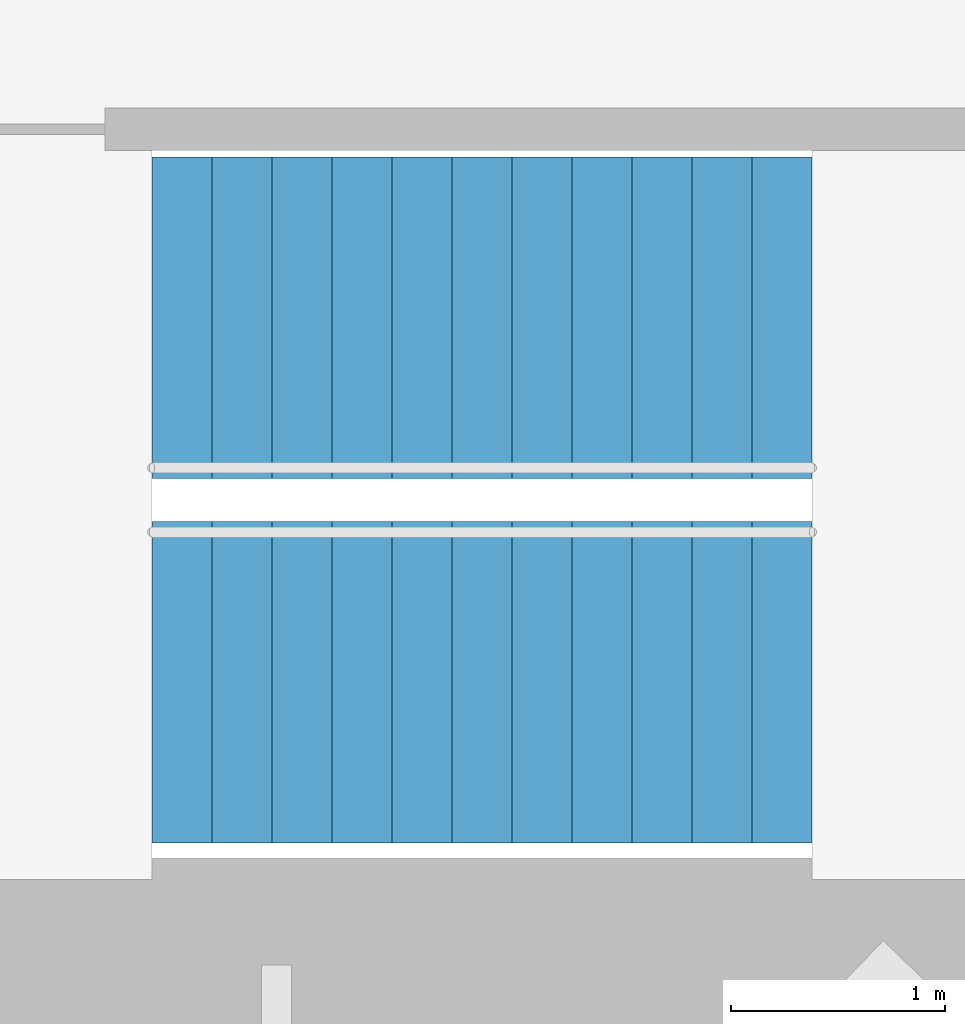
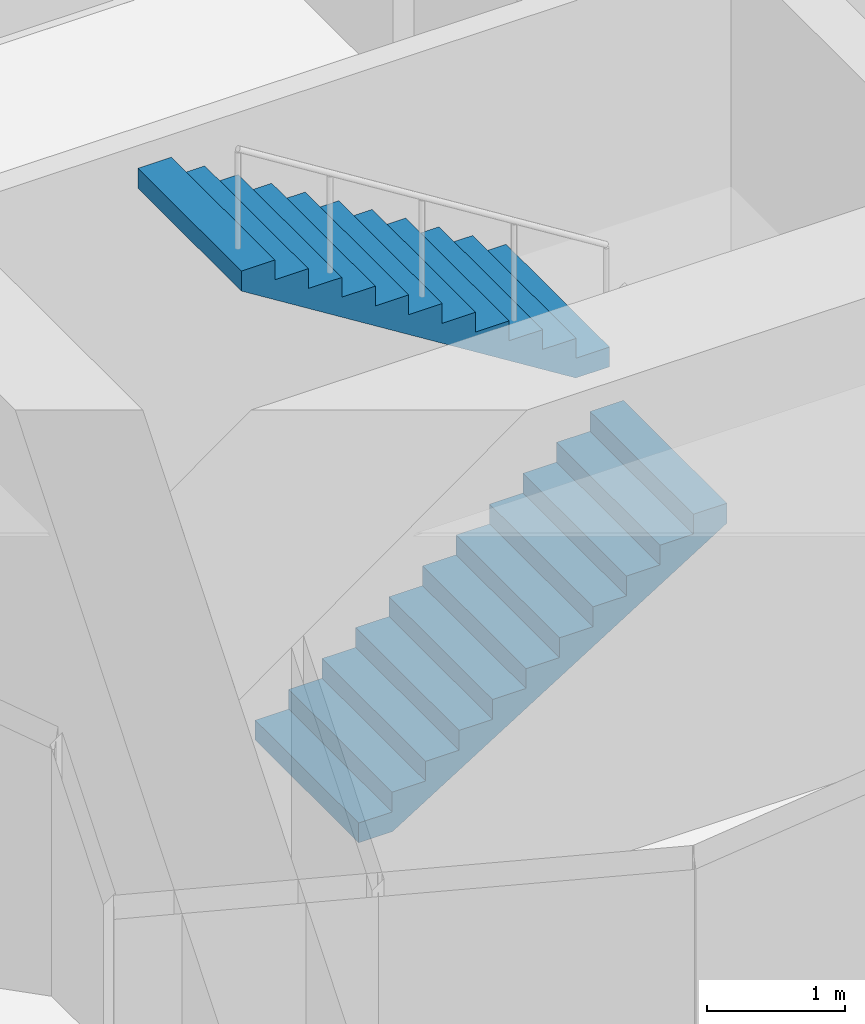
# One storey, part 16 of 18: 2 stair flights, 1 element without a shape of its own.
"""IFC4 building model written with IfcOpenShell, lengths in metres."""

from ifc_helpers import new_model, si_unit, direction, frame, origin, place, context, subcontext, project, spatial, triangles, material, type_object, element, aggregate, save


model = new_model("IFC4")

# Units and contexts
model_context = context("Model", 3, precision=1e-05, world=origin(), true_north=direction((0.0, 1.0)))
body_context = subcontext(model_context, "Body", "Model", "MODEL_VIEW")
ifc_project = project(units=[si_unit("LENGTHUNIT", "METRE"), si_unit("AREAUNIT", "SQUARE_METRE"), si_unit("VOLUMEUNIT", "CUBIC_METRE"), si_unit("PLANEANGLEUNIT", "RADIAN"), si_unit("MASSUNIT", "GRAM", prefix="KILO")], contexts=[model_context])

# Site, building, storey
site_placement = place(None, origin())
site = spatial("IfcSite", under=ifc_project, at=site_placement, CompositionType="ELEMENT")
building_placement = place(site_placement, origin())
building = spatial("IfcBuilding", under=site, at=building_placement, Name="Lantaw Convention Tower", CompositionType="ELEMENT")
storey_placement = place(building_placement, frame((0.0, 0.0, 266.199951171875)))
storey = spatial("IfcBuildingStorey", under=building, at=storey_placement, Name="L62", CompositionType="ELEMENT", Elevation=266.199951171875)

# Stair, stair flights
ifc_material = material(Name="Concrete C35/45", Category="concrete")
stair_type = type_object("IfcStairType", Name="Exit stair 1500 riser 175 in 2 flights", PredefinedType="HALF_TURN_STAIR", material=ifc_material)
stair_placement = place(storey_placement, origin())
stair = element("IfcStair", 1, at=stair_placement, inside=storey, type_object=stair_type, Name="Exit stair S1 L62", PredefinedType="HALF_TURN_STAIR")
stair_flight_type = type_object("IfcStairFlightType", Name="Stair flight 1500 riser 175", PredefinedType="STRAIGHT", material=ifc_material)
stair_flight_1_placement = place(storey_placement, frame((-10.580078125, -5.97998046875, 0.0), z_axis=(0.0, 0.0, 1.0), x_axis=(1.0, 0.0, 0.0)))
stair_flight_1 = element("IfcStairFlight", 2, at=stair_flight_1_placement, type_object=stair_flight_type, Name="S1 flight 1", NumberOfRisers=12, NumberOfTreads=11, PredefinedType="STRAIGHT", RiserHeight=0.175, TreadLength=0.28, context=body_context, shape_type="Tessellation", body=[
    triangles([(0.0, 0.75, 0.0), (0.0, 0.75, 0.175), (0.28, 0.75, 0.0), (0.28, 0.75, 0.175), (0.28, 0.75, 0.35), (0.28283517651771284, 0.75, 0.0), (0.28283517651771284, 0.75, 0.35), (0.56, 0.75, 0.17322801467642948), (0.56, 0.75, 0.35), (0.56, 0.75, 0.5249999999999999), (0.8400000000000001, 0.75, 0.34822801467642944), (0.8400000000000001, 0.75, 0.5249999999999999), (0.8400000000000001, 0.75, 0.7), (1.12, 0.75, 0.5232280146764294), (1.12, 0.75, 0.7), (1.12, 0.75, 0.875), (1.4000000000000001, 0.75, 0.6982280146764295), (1.4000000000000001, 0.75, 0.875), (1.4000000000000001, 0.75, 1.0499999999999998), (1.6800000000000002, 0.75, 0.8732280146764294), (1.6800000000000002, 0.75, 1.0499999999999998), (1.6800000000000002, 0.75, 1.2249999999999999), (1.9600000000000002, 0.75, 1.0482280146764293), (1.9600000000000002, 0.75, 1.2249999999999999), (1.9600000000000002, 0.75, 1.4), (2.24, 0.75, 1.2232280146764294), (2.24, 0.75, 1.4), (2.24, 0.75, 1.575), (2.5200000000000005, 0.75, 1.3982280146764294), (2.5200000000000005, 0.75, 1.575), (2.5200000000000005, 0.75, 1.75), (2.8000000000000003, 0.75, 1.5732280146764293), (2.8000000000000003, 0.75, 1.75), (2.8000000000000003, 0.75, 1.9249999999999998), (3.08, 0.75, 1.7482280146764293), (3.08, 0.75, 1.9249999999999998), (0.0, -0.75, 0.0), (0.0, -0.75, 0.175), (0.28, -0.75, 0.0), (0.28, -0.75, 0.175), (0.28, -0.75, 0.35), (0.28283517651771284, -0.75, 0.0), (0.28283517651771284, -0.75, 0.35), (0.56, -0.75, 0.17322801467642948), (0.56, -0.75, 0.35), (0.56, -0.75, 0.5249999999999999), (0.8400000000000001, -0.75, 0.34822801467642944), (0.8400000000000001, -0.75, 0.5249999999999999), (0.8400000000000001, -0.75, 0.7), (1.12, -0.75, 0.5232280146764294), (1.12, -0.75, 0.7), (1.12, -0.75, 0.875), (1.4000000000000001, -0.75, 0.6982280146764295), (1.4000000000000001, -0.75, 0.875), (1.4000000000000001, -0.75, 1.0499999999999998), (1.6800000000000002, -0.75, 0.8732280146764294), (1.6800000000000002, -0.75, 1.0499999999999998), (1.6800000000000002, -0.75, 1.2249999999999999), (1.9600000000000002, -0.75, 1.0482280146764293), (1.9600000000000002, -0.75, 1.2249999999999999), (1.9600000000000002, -0.75, 1.4), (2.24, -0.75, 1.2232280146764294), (2.24, -0.75, 1.4), (2.24, -0.75, 1.575), (2.5200000000000005, -0.75, 1.3982280146764294), (2.5200000000000005, -0.75, 1.575), (2.5200000000000005, -0.75, 1.75), (2.8000000000000003, -0.75, 1.5732280146764293), (2.8000000000000003, -0.75, 1.75), (2.8000000000000003, -0.75, 1.9249999999999998), (3.08, -0.75, 1.7482280146764293), (3.08, -0.75, 1.9249999999999998), (0.0, 0.15000000000000002, 0.175), (0.0, 0.15000000000000002, 0.0), (0.0, 0.0, 0.175), (0.0, 0.0, 0.0), (0.0, -0.15000000000000002, 0.175), (0.0, -0.15000000000000002, 0.0), (0.28, 0.15000000000000002, 0.35), (0.28, 0.15000000000000002, 0.175), (0.28, 0.0, 0.35), (0.28, 0.0, 0.175), (0.28, -0.15000000000000002, 0.35), (0.28, -0.15000000000000002, 0.175), (0.56, 0.15000000000000002, 0.5249999999999999), (0.56, 0.15000000000000002, 0.35), (0.56, 0.0, 0.5249999999999999), (0.56, 0.0, 0.35), (0.56, -0.15000000000000002, 0.5249999999999999), (0.56, -0.15000000000000002, 0.35), (0.8400000000000001, 0.15000000000000002, 0.7), (0.8400000000000001, 0.15000000000000002, 0.5249999999999999), (0.8400000000000001, 0.0, 0.7), (0.8400000000000001, 0.0, 0.5249999999999999), (0.8400000000000001, -0.15000000000000002, 0.7), (0.8400000000000001, -0.15000000000000002, 0.5249999999999999), (1.12, 0.15000000000000002, 0.875), (1.12, 0.15000000000000002, 0.7), (1.12, 0.0, 0.875), (1.12, 0.0, 0.7), (1.12, -0.15000000000000002, 0.875), (1.12, -0.15000000000000002, 0.7), (1.4000000000000001, 0.15000000000000002, 1.0499999999999998), (1.4000000000000001, 0.15000000000000002, 0.875), (1.4000000000000001, 0.0, 1.0499999999999998), (1.4000000000000001, 0.0, 0.875), (1.4000000000000001, -0.15000000000000002, 1.0499999999999998), (1.4000000000000001, -0.15000000000000002, 0.875), (1.6800000000000002, 0.15000000000000002, 1.2249999999999999), (1.6800000000000002, 0.15000000000000002, 1.0499999999999998), (1.6800000000000002, 0.0, 1.2249999999999999), (1.6800000000000002, 0.0, 1.0499999999999998), (1.6800000000000002, -0.15000000000000002, 1.2249999999999999), (1.6800000000000002, -0.15000000000000002, 1.0499999999999998), (1.9600000000000002, 0.15000000000000002, 1.4), (1.9600000000000002, 0.15000000000000002, 1.2249999999999999), (1.9600000000000002, 0.0, 1.4), (1.9600000000000002, 0.0, 1.2249999999999999), (1.9600000000000002, -0.15000000000000002, 1.4), (1.9600000000000002, -0.15000000000000002, 1.2249999999999999), (2.24, 0.15000000000000002, 1.575), (2.24, 0.15000000000000002, 1.4), (2.24, 0.0, 1.575), (2.24, 0.0, 1.4), (2.24, -0.15000000000000002, 1.575), (2.24, -0.15000000000000002, 1.4), (2.5200000000000005, 0.15000000000000002, 1.75), (2.5200000000000005, 0.15000000000000002, 1.575), (2.5200000000000005, 0.0, 1.75), (2.5200000000000005, 0.0, 1.575), (2.5200000000000005, -0.15000000000000002, 1.75), (2.5200000000000005, -0.15000000000000002, 1.575), (2.8000000000000003, 0.15000000000000002, 1.9249999999999998), (2.8000000000000003, 0.15000000000000002, 1.75), (2.8000000000000003, 0.0, 1.9249999999999998), (2.8000000000000003, 0.0, 1.75), (2.8000000000000003, -0.15000000000000002, 1.9249999999999998), (2.8000000000000003, -0.15000000000000002, 1.75), (0.28283517651771284, 0.15000000000000002, 0.35), (0.28283517651771284, 0.0, 0.35), (0.28283517651771284, -0.15000000000000002, 0.35), (3.08, 0.15000000000000002, 1.9249999999999998), (3.08, 0.0, 1.9249999999999998), (3.08, -0.15000000000000002, 1.9249999999999998), (3.08, 0.15000000000000002, 1.7482280146764293), (3.08, 0.0, 1.7482280146764293), (3.08, -0.15000000000000002, 1.7482280146764293), (2.8000000000000003, 0.15000000000000002, 1.5732280146764293), (2.8000000000000003, 0.0, 1.5732280146764293), (2.8000000000000003, -0.15000000000000002, 1.5732280146764293), (2.5200000000000005, 0.15000000000000002, 1.3982280146764294), (2.5200000000000005, 0.0, 1.3982280146764294), (2.5200000000000005, -0.15000000000000002, 1.3982280146764294), (2.24, 0.15000000000000002, 1.2232280146764294), (2.24, 0.0, 1.2232280146764294), (2.24, -0.15000000000000002, 1.2232280146764294), (1.9600000000000002, 0.15000000000000002, 1.0482280146764293), (1.9600000000000002, 0.0, 1.0482280146764293), (1.9600000000000002, -0.15000000000000002, 1.0482280146764293), (1.6800000000000002, 0.15000000000000002, 0.8732280146764294), (1.6800000000000002, 0.0, 0.8732280146764294), (1.6800000000000002, -0.15000000000000002, 0.8732280146764294), (1.4000000000000001, 0.15000000000000002, 0.6982280146764295), (1.4000000000000001, 0.0, 0.6982280146764295), (1.4000000000000001, -0.15000000000000002, 0.6982280146764295), (1.12, 0.15000000000000002, 0.5232280146764294), (1.12, 0.0, 0.5232280146764294), (1.12, -0.15000000000000002, 0.5232280146764294), (0.8400000000000001, 0.15000000000000002, 0.34822801467642944), (0.8400000000000001, 0.0, 0.34822801467642944), (0.8400000000000001, -0.15000000000000002, 0.34822801467642944), (0.56, 0.15000000000000002, 0.17322801467642948), (0.56, 0.0, 0.17322801467642948), (0.56, -0.15000000000000002, 0.17322801467642948), (0.28283517651771284, 0.15000000000000002, 0.0), (0.28283517651771284, 0.0, 0.0), (0.28283517651771284, -0.15000000000000002, 0.0), (0.28, 0.15000000000000002, 0.0), (0.28, 0.0, 0.0), (0.28, -0.15000000000000002, 0.0)], [[1, 4, 3], [1, 2, 4], [3, 4, 6], [4, 7, 6], [4, 5, 7], [6, 9, 8], [6, 7, 9], [8, 9, 11], [9, 12, 11], [9, 10, 12], [11, 12, 14], [12, 15, 14], [12, 13, 15], [14, 15, 17], [15, 18, 17], [15, 16, 18], [17, 18, 20], [18, 21, 20], [18, 19, 21], [20, 21, 23], [21, 24, 23], [21, 22, 24], [23, 24, 26], [24, 27, 26], [24, 25, 27], [26, 27, 29], [27, 30, 29], [27, 28, 30], [29, 30, 32], [30, 33, 32], [30, 31, 33], [32, 33, 35], [33, 36, 35], [33, 34, 36], [37, 39, 40], [37, 40, 38], [39, 42, 40], [40, 42, 43], [40, 43, 41], [42, 44, 45], [42, 45, 43], [44, 47, 45], [45, 47, 48], [45, 48, 46], [47, 50, 48], [48, 50, 51], [48, 51, 49], [50, 53, 51], [51, 53, 54], [51, 54, 52], [53, 56, 54], [54, 56, 57], [54, 57, 55], [56, 59, 57], [57, 59, 60], [57, 60, 58], [59, 62, 60], [60, 62, 63], [60, 63, 61], [62, 65, 63], [63, 65, 66], [63, 66, 64], [65, 68, 66], [66, 68, 69], [66, 69, 67], [68, 71, 69], [69, 71, 72], [69, 72, 70], [1, 73, 2], [1, 74, 73], [74, 75, 73], [74, 76, 75], [76, 77, 75], [76, 78, 77], [78, 38, 77], [78, 37, 38], [4, 79, 5], [4, 80, 79], [80, 81, 79], [80, 82, 81], [82, 83, 81], [82, 84, 83], [84, 41, 83], [84, 40, 41], [9, 85, 10], [9, 86, 85], [86, 87, 85], [86, 88, 87], [88, 89, 87], [88, 90, 89], [90, 46, 89], [90, 45, 46], [12, 91, 13], [12, 92, 91], [92, 93, 91], [92, 94, 93], [94, 95, 93], [94, 96, 95], [96, 49, 95], [96, 48, 49], [15, 97, 16], [15, 98, 97], [98, 99, 97], [98, 100, 99], [100, 101, 99], [100, 102, 101], [102, 52, 101], [102, 51, 52], [18, 103, 19], [18, 104, 103], [104, 105, 103], [104, 106, 105], [106, 107, 105], [106, 108, 107], [108, 55, 107], [108, 54, 55], [21, 109, 22], [21, 110, 109], [110, 111, 109], [110, 112, 111], [112, 113, 111], [112, 114, 113], [114, 58, 113], [114, 57, 58], [24, 115, 25], [24, 116, 115], [116, 117, 115], [116, 118, 117], [118, 119, 117], [118, 120, 119], [120, 61, 119], [120, 60, 61], [27, 121, 28], [27, 122, 121], [122, 123, 121], [122, 124, 123], [124, 125, 123], [124, 126, 125], [126, 64, 125], [126, 63, 64], [30, 127, 31], [30, 128, 127], [128, 129, 127], [128, 130, 129], [130, 131, 129], [130, 132, 131], [132, 67, 131], [132, 66, 67], [33, 133, 34], [33, 134, 133], [134, 135, 133], [134, 136, 135], [136, 137, 135], [136, 138, 137], [138, 70, 137], [138, 69, 70], [2, 80, 4], [2, 73, 80], [73, 82, 80], [73, 75, 82], [75, 84, 82], [75, 77, 84], [77, 40, 84], [77, 38, 40], [5, 139, 7], [5, 79, 139], [79, 140, 139], [79, 81, 140], [81, 141, 140], [81, 83, 141], [83, 43, 141], [83, 41, 43], [7, 86, 9], [7, 139, 86], [139, 88, 86], [139, 140, 88], [140, 90, 88], [140, 141, 90], [141, 45, 90], [141, 43, 45], [10, 92, 12], [10, 85, 92], [85, 94, 92], [85, 87, 94], [87, 96, 94], [87, 89, 96], [89, 48, 96], [89, 46, 48], [13, 98, 15], [13, 91, 98], [91, 100, 98], [91, 93, 100], [93, 102, 100], [93, 95, 102], [95, 51, 102], [95, 49, 51], [16, 104, 18], [16, 97, 104], [97, 106, 104], [97, 99, 106], [99, 108, 106], [99, 101, 108], [101, 54, 108], [101, 52, 54], [19, 110, 21], [19, 103, 110], [103, 112, 110], [103, 105, 112], [105, 114, 112], [105, 107, 114], [107, 57, 114], [107, 55, 57], [22, 116, 24], [22, 109, 116], [109, 118, 116], [109, 111, 118], [111, 120, 118], [111, 113, 120], [113, 60, 120], [113, 58, 60], [25, 122, 27], [25, 115, 122], [115, 124, 122], [115, 117, 124], [117, 126, 124], [117, 119, 126], [119, 63, 126], [119, 61, 63], [28, 128, 30], [28, 121, 128], [121, 130, 128], [121, 123, 130], [123, 132, 130], [123, 125, 132], [125, 66, 132], [125, 64, 66], [31, 134, 33], [31, 127, 134], [127, 136, 134], [127, 129, 136], [129, 138, 136], [129, 131, 138], [131, 69, 138], [131, 67, 69], [34, 142, 36], [34, 133, 142], [133, 143, 142], [133, 135, 143], [135, 144, 143], [135, 137, 144], [137, 72, 144], [137, 70, 72], [36, 145, 35], [36, 142, 145], [142, 146, 145], [142, 143, 146], [143, 147, 146], [143, 144, 147], [144, 71, 147], [144, 72, 71], [35, 148, 32], [35, 145, 148], [145, 149, 148], [145, 146, 149], [146, 150, 149], [146, 147, 150], [147, 68, 150], [147, 71, 68], [32, 151, 29], [32, 148, 151], [148, 152, 151], [148, 149, 152], [149, 153, 152], [149, 150, 153], [150, 65, 153], [150, 68, 65], [29, 154, 26], [29, 151, 154], [151, 155, 154], [151, 152, 155], [152, 156, 155], [152, 153, 156], [153, 62, 156], [153, 65, 62], [26, 157, 23], [26, 154, 157], [154, 158, 157], [154, 155, 158], [155, 159, 158], [155, 156, 159], [156, 59, 159], [156, 62, 59], [23, 160, 20], [23, 157, 160], [157, 161, 160], [157, 158, 161], [158, 162, 161], [158, 159, 162], [159, 56, 162], [159, 59, 56], [20, 163, 17], [20, 160, 163], [160, 164, 163], [160, 161, 164], [161, 165, 164], [161, 162, 165], [162, 53, 165], [162, 56, 53], [17, 166, 14], [17, 163, 166], [163, 167, 166], [163, 164, 167], [164, 168, 167], [164, 165, 168], [165, 50, 168], [165, 53, 50], [14, 169, 11], [14, 166, 169], [166, 170, 169], [166, 167, 170], [167, 171, 170], [167, 168, 171], [168, 47, 171], [168, 50, 47], [11, 172, 8], [11, 169, 172], [169, 173, 172], [169, 170, 173], [170, 174, 173], [170, 171, 174], [171, 44, 174], [171, 47, 44], [8, 175, 6], [8, 172, 175], [172, 176, 175], [172, 173, 176], [173, 177, 176], [173, 174, 177], [174, 42, 177], [174, 44, 42], [6, 178, 3], [6, 175, 178], [175, 179, 178], [175, 176, 179], [176, 180, 179], [176, 177, 180], [177, 39, 180], [177, 42, 39], [3, 74, 1], [3, 178, 74], [178, 76, 74], [178, 179, 76], [179, 78, 76], [179, 180, 78], [180, 37, 78], [180, 39, 37]], closed=True),
])
stair_flight_2_placement = place(storey_placement, frame((-7.5, -4.280029296875, 2.10009765625), z_axis=(0.0, 0.0, 1.0), x_axis=(-1.0, 0.0, 0.0)))
stair_flight_2 = element("IfcStairFlight", 3, at=stair_flight_2_placement, type_object=stair_flight_type, Name="S1 flight 2", NumberOfRisers=12, NumberOfTreads=11, PredefinedType="STRAIGHT", RiserHeight=0.175, TreadLength=0.28, context=body_context, shape_type="Tessellation", body=[
    triangles([(0.0, 0.75, 0.0), (0.0, 0.75, 0.175), (0.28, 0.75, 0.0), (0.28, 0.75, 0.175), (0.28, 0.75, 0.35), (0.28283517651771284, 0.75, 0.0), (0.28283517651771284, 0.75, 0.35), (0.56, 0.75, 0.17322801467642948), (0.56, 0.75, 0.35), (0.56, 0.75, 0.5249999999999999), (0.8400000000000001, 0.75, 0.34822801467642944), (0.8400000000000001, 0.75, 0.5249999999999999), (0.8400000000000001, 0.75, 0.7), (1.12, 0.75, 0.5232280146764294), (1.12, 0.75, 0.7), (1.12, 0.75, 0.875), (1.4000000000000001, 0.75, 0.6982280146764295), (1.4000000000000001, 0.75, 0.875), (1.4000000000000001, 0.75, 1.0499999999999998), (1.6800000000000002, 0.75, 0.8732280146764294), (1.6800000000000002, 0.75, 1.0499999999999998), (1.6800000000000002, 0.75, 1.2249999999999999), (1.9600000000000002, 0.75, 1.0482280146764293), (1.9600000000000002, 0.75, 1.2249999999999999), (1.9600000000000002, 0.75, 1.4), (2.24, 0.75, 1.2232280146764294), (2.24, 0.75, 1.4), (2.24, 0.75, 1.575), (2.5200000000000005, 0.75, 1.3982280146764294), (2.5200000000000005, 0.75, 1.575), (2.5200000000000005, 0.75, 1.75), (2.8000000000000003, 0.75, 1.5732280146764293), (2.8000000000000003, 0.75, 1.75), (2.8000000000000003, 0.75, 1.9249999999999998), (3.08, 0.75, 1.7482280146764293), (3.08, 0.75, 1.9249999999999998), (0.0, -0.75, 0.0), (0.0, -0.75, 0.175), (0.28, -0.75, 0.0), (0.28, -0.75, 0.175), (0.28, -0.75, 0.35), (0.28283517651771284, -0.75, 0.0), (0.28283517651771284, -0.75, 0.35), (0.56, -0.75, 0.17322801467642948), (0.56, -0.75, 0.35), (0.56, -0.75, 0.5249999999999999), (0.8400000000000001, -0.75, 0.34822801467642944), (0.8400000000000001, -0.75, 0.5249999999999999), (0.8400000000000001, -0.75, 0.7), (1.12, -0.75, 0.5232280146764294), (1.12, -0.75, 0.7), (1.12, -0.75, 0.875), (1.4000000000000001, -0.75, 0.6982280146764295), (1.4000000000000001, -0.75, 0.875), (1.4000000000000001, -0.75, 1.0499999999999998), (1.6800000000000002, -0.75, 0.8732280146764294), (1.6800000000000002, -0.75, 1.0499999999999998), (1.6800000000000002, -0.75, 1.2249999999999999), (1.9600000000000002, -0.75, 1.0482280146764293), (1.9600000000000002, -0.75, 1.2249999999999999), (1.9600000000000002, -0.75, 1.4), (2.24, -0.75, 1.2232280146764294), (2.24, -0.75, 1.4), (2.24, -0.75, 1.575), (2.5200000000000005, -0.75, 1.3982280146764294), (2.5200000000000005, -0.75, 1.575), (2.5200000000000005, -0.75, 1.75), (2.8000000000000003, -0.75, 1.5732280146764293), (2.8000000000000003, -0.75, 1.75), (2.8000000000000003, -0.75, 1.9249999999999998), (3.08, -0.75, 1.7482280146764293), (3.08, -0.75, 1.9249999999999998), (0.0, 0.15000000000000002, 0.175), (0.0, 0.15000000000000002, 0.0), (0.0, 0.0, 0.175), (0.0, 0.0, 0.0), (0.0, -0.15000000000000002, 0.175), (0.0, -0.15000000000000002, 0.0), (0.28, 0.15000000000000002, 0.35), (0.28, 0.15000000000000002, 0.175), (0.28, 0.0, 0.35), (0.28, 0.0, 0.175), (0.28, -0.15000000000000002, 0.35), (0.28, -0.15000000000000002, 0.175), (0.56, 0.15000000000000002, 0.5249999999999999), (0.56, 0.15000000000000002, 0.35), (0.56, 0.0, 0.5249999999999999), (0.56, 0.0, 0.35), (0.56, -0.15000000000000002, 0.5249999999999999), (0.56, -0.15000000000000002, 0.35), (0.8400000000000001, 0.15000000000000002, 0.7), (0.8400000000000001, 0.15000000000000002, 0.5249999999999999), (0.8400000000000001, 0.0, 0.7), (0.8400000000000001, 0.0, 0.5249999999999999), (0.8400000000000001, -0.15000000000000002, 0.7), (0.8400000000000001, -0.15000000000000002, 0.5249999999999999), (1.12, 0.15000000000000002, 0.875), (1.12, 0.15000000000000002, 0.7), (1.12, 0.0, 0.875), (1.12, 0.0, 0.7), (1.12, -0.15000000000000002, 0.875), (1.12, -0.15000000000000002, 0.7), (1.4000000000000001, 0.15000000000000002, 1.0499999999999998), (1.4000000000000001, 0.15000000000000002, 0.875), (1.4000000000000001, 0.0, 1.0499999999999998), (1.4000000000000001, 0.0, 0.875), (1.4000000000000001, -0.15000000000000002, 1.0499999999999998), (1.4000000000000001, -0.15000000000000002, 0.875), (1.6800000000000002, 0.15000000000000002, 1.2249999999999999), (1.6800000000000002, 0.15000000000000002, 1.0499999999999998), (1.6800000000000002, 0.0, 1.2249999999999999), (1.6800000000000002, 0.0, 1.0499999999999998), (1.6800000000000002, -0.15000000000000002, 1.2249999999999999), (1.6800000000000002, -0.15000000000000002, 1.0499999999999998), (1.9600000000000002, 0.15000000000000002, 1.4), (1.9600000000000002, 0.15000000000000002, 1.2249999999999999), (1.9600000000000002, 0.0, 1.4), (1.9600000000000002, 0.0, 1.2249999999999999), (1.9600000000000002, -0.15000000000000002, 1.4), (1.9600000000000002, -0.15000000000000002, 1.2249999999999999), (2.24, 0.15000000000000002, 1.575), (2.24, 0.15000000000000002, 1.4), (2.24, 0.0, 1.575), (2.24, 0.0, 1.4), (2.24, -0.15000000000000002, 1.575), (2.24, -0.15000000000000002, 1.4), (2.5200000000000005, 0.15000000000000002, 1.75), (2.5200000000000005, 0.15000000000000002, 1.575), (2.5200000000000005, 0.0, 1.75), (2.5200000000000005, 0.0, 1.575), (2.5200000000000005, -0.15000000000000002, 1.75), (2.5200000000000005, -0.15000000000000002, 1.575), (2.8000000000000003, 0.15000000000000002, 1.9249999999999998), (2.8000000000000003, 0.15000000000000002, 1.75), (2.8000000000000003, 0.0, 1.9249999999999998), (2.8000000000000003, 0.0, 1.75), (2.8000000000000003, -0.15000000000000002, 1.9249999999999998), (2.8000000000000003, -0.15000000000000002, 1.75), (0.28283517651771284, 0.15000000000000002, 0.35), (0.28283517651771284, 0.0, 0.35), (0.28283517651771284, -0.15000000000000002, 0.35), (3.08, 0.15000000000000002, 1.9249999999999998), (3.08, 0.0, 1.9249999999999998), (3.08, -0.15000000000000002, 1.9249999999999998), (3.08, 0.15000000000000002, 1.7482280146764293), (3.08, 0.0, 1.7482280146764293), (3.08, -0.15000000000000002, 1.7482280146764293), (2.8000000000000003, 0.15000000000000002, 1.5732280146764293), (2.8000000000000003, 0.0, 1.5732280146764293), (2.8000000000000003, -0.15000000000000002, 1.5732280146764293), (2.5200000000000005, 0.15000000000000002, 1.3982280146764294), (2.5200000000000005, 0.0, 1.3982280146764294), (2.5200000000000005, -0.15000000000000002, 1.3982280146764294), (2.24, 0.15000000000000002, 1.2232280146764294), (2.24, 0.0, 1.2232280146764294), (2.24, -0.15000000000000002, 1.2232280146764294), (1.9600000000000002, 0.15000000000000002, 1.0482280146764293), (1.9600000000000002, 0.0, 1.0482280146764293), (1.9600000000000002, -0.15000000000000002, 1.0482280146764293), (1.6800000000000002, 0.15000000000000002, 0.8732280146764294), (1.6800000000000002, 0.0, 0.8732280146764294), (1.6800000000000002, -0.15000000000000002, 0.8732280146764294), (1.4000000000000001, 0.15000000000000002, 0.6982280146764295), (1.4000000000000001, 0.0, 0.6982280146764295), (1.4000000000000001, -0.15000000000000002, 0.6982280146764295), (1.12, 0.15000000000000002, 0.5232280146764294), (1.12, 0.0, 0.5232280146764294), (1.12, -0.15000000000000002, 0.5232280146764294), (0.8400000000000001, 0.15000000000000002, 0.34822801467642944), (0.8400000000000001, 0.0, 0.34822801467642944), (0.8400000000000001, -0.15000000000000002, 0.34822801467642944), (0.56, 0.15000000000000002, 0.17322801467642948), (0.56, 0.0, 0.17322801467642948), (0.56, -0.15000000000000002, 0.17322801467642948), (0.28283517651771284, 0.15000000000000002, 0.0), (0.28283517651771284, 0.0, 0.0), (0.28283517651771284, -0.15000000000000002, 0.0), (0.28, 0.15000000000000002, 0.0), (0.28, 0.0, 0.0), (0.28, -0.15000000000000002, 0.0)], [[1, 4, 3], [1, 2, 4], [3, 4, 6], [4, 7, 6], [4, 5, 7], [6, 9, 8], [6, 7, 9], [8, 9, 11], [9, 12, 11], [9, 10, 12], [11, 12, 14], [12, 15, 14], [12, 13, 15], [14, 15, 17], [15, 18, 17], [15, 16, 18], [17, 18, 20], [18, 21, 20], [18, 19, 21], [20, 21, 23], [21, 24, 23], [21, 22, 24], [23, 24, 26], [24, 27, 26], [24, 25, 27], [26, 27, 29], [27, 30, 29], [27, 28, 30], [29, 30, 32], [30, 33, 32], [30, 31, 33], [32, 33, 35], [33, 36, 35], [33, 34, 36], [37, 39, 40], [37, 40, 38], [39, 42, 40], [40, 42, 43], [40, 43, 41], [42, 44, 45], [42, 45, 43], [44, 47, 45], [45, 47, 48], [45, 48, 46], [47, 50, 48], [48, 50, 51], [48, 51, 49], [50, 53, 51], [51, 53, 54], [51, 54, 52], [53, 56, 54], [54, 56, 57], [54, 57, 55], [56, 59, 57], [57, 59, 60], [57, 60, 58], [59, 62, 60], [60, 62, 63], [60, 63, 61], [62, 65, 63], [63, 65, 66], [63, 66, 64], [65, 68, 66], [66, 68, 69], [66, 69, 67], [68, 71, 69], [69, 71, 72], [69, 72, 70], [1, 73, 2], [1, 74, 73], [74, 75, 73], [74, 76, 75], [76, 77, 75], [76, 78, 77], [78, 38, 77], [78, 37, 38], [4, 79, 5], [4, 80, 79], [80, 81, 79], [80, 82, 81], [82, 83, 81], [82, 84, 83], [84, 41, 83], [84, 40, 41], [9, 85, 10], [9, 86, 85], [86, 87, 85], [86, 88, 87], [88, 89, 87], [88, 90, 89], [90, 46, 89], [90, 45, 46], [12, 91, 13], [12, 92, 91], [92, 93, 91], [92, 94, 93], [94, 95, 93], [94, 96, 95], [96, 49, 95], [96, 48, 49], [15, 97, 16], [15, 98, 97], [98, 99, 97], [98, 100, 99], [100, 101, 99], [100, 102, 101], [102, 52, 101], [102, 51, 52], [18, 103, 19], [18, 104, 103], [104, 105, 103], [104, 106, 105], [106, 107, 105], [106, 108, 107], [108, 55, 107], [108, 54, 55], [21, 109, 22], [21, 110, 109], [110, 111, 109], [110, 112, 111], [112, 113, 111], [112, 114, 113], [114, 58, 113], [114, 57, 58], [24, 115, 25], [24, 116, 115], [116, 117, 115], [116, 118, 117], [118, 119, 117], [118, 120, 119], [120, 61, 119], [120, 60, 61], [27, 121, 28], [27, 122, 121], [122, 123, 121], [122, 124, 123], [124, 125, 123], [124, 126, 125], [126, 64, 125], [126, 63, 64], [30, 127, 31], [30, 128, 127], [128, 129, 127], [128, 130, 129], [130, 131, 129], [130, 132, 131], [132, 67, 131], [132, 66, 67], [33, 133, 34], [33, 134, 133], [134, 135, 133], [134, 136, 135], [136, 137, 135], [136, 138, 137], [138, 70, 137], [138, 69, 70], [2, 80, 4], [2, 73, 80], [73, 82, 80], [73, 75, 82], [75, 84, 82], [75, 77, 84], [77, 40, 84], [77, 38, 40], [5, 139, 7], [5, 79, 139], [79, 140, 139], [79, 81, 140], [81, 141, 140], [81, 83, 141], [83, 43, 141], [83, 41, 43], [7, 86, 9], [7, 139, 86], [139, 88, 86], [139, 140, 88], [140, 90, 88], [140, 141, 90], [141, 45, 90], [141, 43, 45], [10, 92, 12], [10, 85, 92], [85, 94, 92], [85, 87, 94], [87, 96, 94], [87, 89, 96], [89, 48, 96], [89, 46, 48], [13, 98, 15], [13, 91, 98], [91, 100, 98], [91, 93, 100], [93, 102, 100], [93, 95, 102], [95, 51, 102], [95, 49, 51], [16, 104, 18], [16, 97, 104], [97, 106, 104], [97, 99, 106], [99, 108, 106], [99, 101, 108], [101, 54, 108], [101, 52, 54], [19, 110, 21], [19, 103, 110], [103, 112, 110], [103, 105, 112], [105, 114, 112], [105, 107, 114], [107, 57, 114], [107, 55, 57], [22, 116, 24], [22, 109, 116], [109, 118, 116], [109, 111, 118], [111, 120, 118], [111, 113, 120], [113, 60, 120], [113, 58, 60], [25, 122, 27], [25, 115, 122], [115, 124, 122], [115, 117, 124], [117, 126, 124], [117, 119, 126], [119, 63, 126], [119, 61, 63], [28, 128, 30], [28, 121, 128], [121, 130, 128], [121, 123, 130], [123, 132, 130], [123, 125, 132], [125, 66, 132], [125, 64, 66], [31, 134, 33], [31, 127, 134], [127, 136, 134], [127, 129, 136], [129, 138, 136], [129, 131, 138], [131, 69, 138], [131, 67, 69], [34, 142, 36], [34, 133, 142], [133, 143, 142], [133, 135, 143], [135, 144, 143], [135, 137, 144], [137, 72, 144], [137, 70, 72], [36, 145, 35], [36, 142, 145], [142, 146, 145], [142, 143, 146], [143, 147, 146], [143, 144, 147], [144, 71, 147], [144, 72, 71], [35, 148, 32], [35, 145, 148], [145, 149, 148], [145, 146, 149], [146, 150, 149], [146, 147, 150], [147, 68, 150], [147, 71, 68], [32, 151, 29], [32, 148, 151], [148, 152, 151], [148, 149, 152], [149, 153, 152], [149, 150, 153], [150, 65, 153], [150, 68, 65], [29, 154, 26], [29, 151, 154], [151, 155, 154], [151, 152, 155], [152, 156, 155], [152, 153, 156], [153, 62, 156], [153, 65, 62], [26, 157, 23], [26, 154, 157], [154, 158, 157], [154, 155, 158], [155, 159, 158], [155, 156, 159], [156, 59, 159], [156, 62, 59], [23, 160, 20], [23, 157, 160], [157, 161, 160], [157, 158, 161], [158, 162, 161], [158, 159, 162], [159, 56, 162], [159, 59, 56], [20, 163, 17], [20, 160, 163], [160, 164, 163], [160, 161, 164], [161, 165, 164], [161, 162, 165], [162, 53, 165], [162, 56, 53], [17, 166, 14], [17, 163, 166], [163, 167, 166], [163, 164, 167], [164, 168, 167], [164, 165, 168], [165, 50, 168], [165, 53, 50], [14, 169, 11], [14, 166, 169], [166, 170, 169], [166, 167, 170], [167, 171, 170], [167, 168, 171], [168, 47, 171], [168, 50, 47], [11, 172, 8], [11, 169, 172], [169, 173, 172], [169, 170, 173], [170, 174, 173], [170, 171, 174], [171, 44, 174], [171, 47, 44], [8, 175, 6], [8, 172, 175], [172, 176, 175], [172, 173, 176], [173, 177, 176], [173, 174, 177], [174, 42, 177], [174, 44, 42], [6, 178, 3], [6, 175, 178], [175, 179, 178], [175, 176, 179], [176, 180, 179], [176, 177, 180], [177, 39, 180], [177, 42, 39], [3, 74, 1], [3, 178, 74], [178, 76, 74], [178, 179, 76], [179, 78, 76], [179, 180, 78], [180, 37, 78], [180, 39, 37]], closed=True),
])
aggregate(stair, [stair_flight_1, stair_flight_2])

save(model, "model.ifc")
